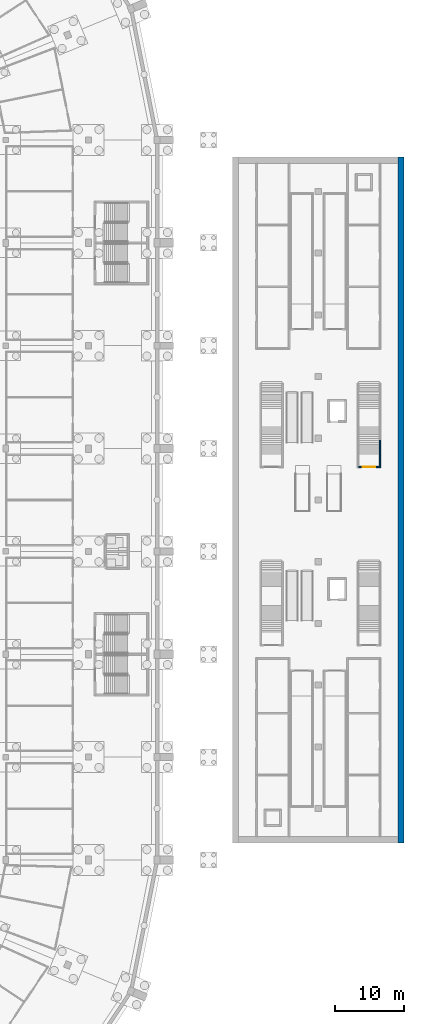
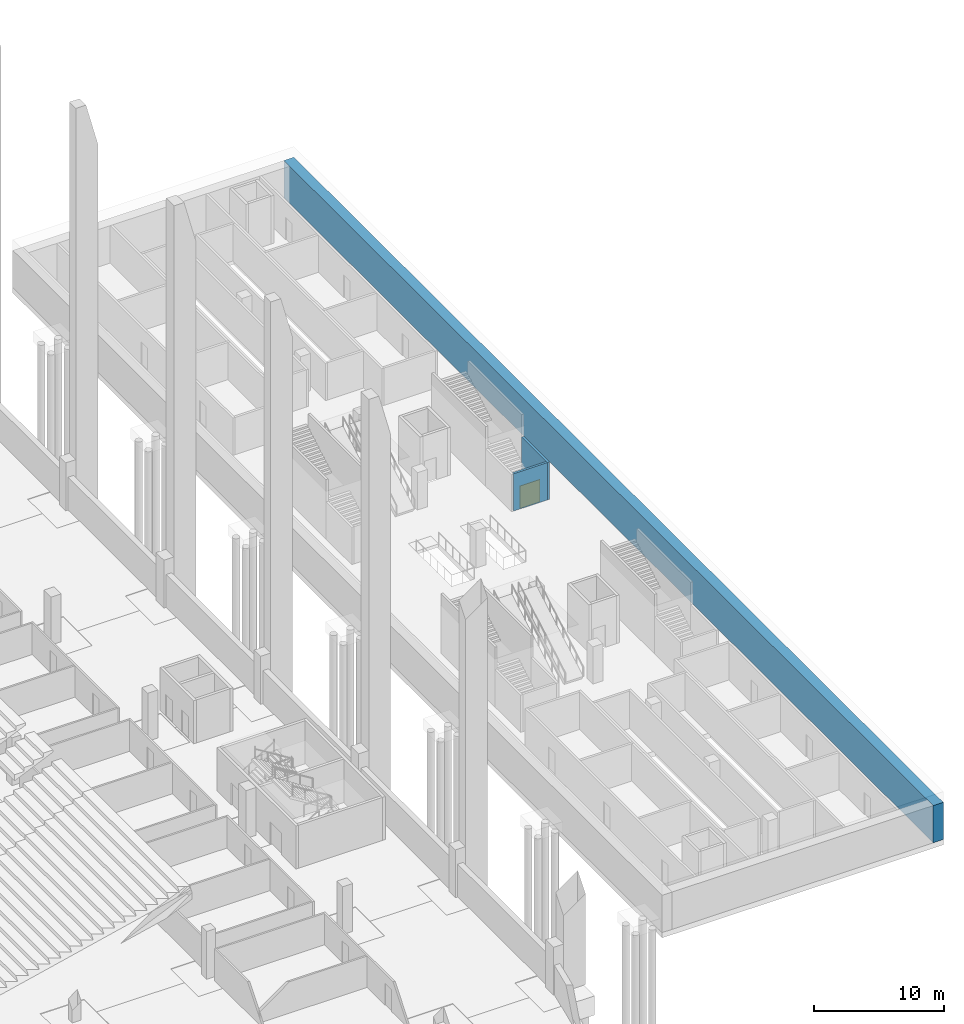
# One storey, part 32 of 115: 3 walls, 1 door, 1 opening.
"""IFC4 building model written with IfcOpenShell, lengths in metres."""

from ifc_helpers import new_model, si_unit, direction, frame, frame_2d, origin, place, context, subcontext, project, spatial, rectangle, extrude, material, layer, layer_set, type_object, element, fill, save


model = new_model("IFC4")

# Units and contexts
model_context = context("Model", 3, precision=1e-05, world=origin(), true_north=direction((0.0, 1.0)))
body_context = subcontext(model_context, "Body", "Model", "MODEL_VIEW")
ifc_project = project(units=[si_unit("LENGTHUNIT", "METRE"), si_unit("AREAUNIT", "SQUARE_METRE"), si_unit("VOLUMEUNIT", "CUBIC_METRE"), si_unit("PLANEANGLEUNIT", "RADIAN"), si_unit("MASSUNIT", "GRAM", prefix="KILO")], contexts=[model_context])

# Site, building, storey
site_placement = place(None, origin())
site = spatial("IfcSite", under=ifc_project, at=site_placement, CompositionType="ELEMENT")
building_placement = place(site_placement, origin())
building = spatial("IfcBuilding", under=site, at=building_placement, Name="Ogive Plaza Stadium", CompositionType="ELEMENT")
storey_placement = place(building_placement, frame((0.0, 0.0, -4.5)))
storey = spatial("IfcBuildingStorey", under=building, at=storey_placement, Name="B1", CompositionType="ELEMENT", Elevation=-4.5)

# Walls
ifc_material_1 = material(Name="Concrete C35/45", Category="concrete")
ifc_layer_1 = layer(ifc_material_1, 0.89990234375)
ifc_layer_set_1 = layer_set([ifc_layer_1], Name="Concrete C35/45")
wall_type_1 = type_object("IfcWallType", Name="Diaphragm wall 900", PredefinedType="STANDARD", material=ifc_layer_set_1)
wall_1_placement = place(storey_placement, frame((119.550048828125, -50.0, 0.0), z_axis=(0.0, 0.0, 1.0), x_axis=(0.0, 1.0, 0.0)))
element("IfcWall", 1, at=wall_1_placement, inside=storey, type_object=wall_type_1, Name="Diaphragm wall 900 B1 east", PredefinedType="STANDARD", context=body_context, shape_type="SweptSolid", body=[
    extrude(rectangle(XDim=100.0, YDim=0.89990234375, at=frame_2d((50.0, 0.0))), origin(), (0.0, 0.0, 1.0), 3.5),
])
ifc_material_2 = material(Name="Concrete C40/50", Category="concrete")
ifc_layer_2 = layer(ifc_material_2, 0.199951171875)
ifc_layer_set_2 = layer_set([ifc_layer_2], Name="Concrete C40/50")
wall_type_2 = type_object("IfcWallType", Name="Stair enclosure wall 200", PredefinedType="SHEAR", material=ifc_layer_set_2)
wall_2_placement = place(storey_placement, frame((116.5, 4.719970703125, 0.0), z_axis=(0.0, 0.0, 1.0), x_axis=(0.0, 1.0, 0.0)))
element("IfcWall", 2, at=wall_2_placement, inside=storey, type_object=wall_type_2, Name="Stair enclosure wall 200 B1 east", PredefinedType="SHEAR", context=body_context, shape_type="SweptSolid", body=[
    extrude(rectangle(XDim=3.96630859375, YDim=0.199951171875, at=frame_2d((1.983154296875, 0.0))), origin(), (0.0, 0.0, 1.0), 3.5),
])

# Wall, opening, door
wall_3_placement = place(storey_placement, frame((113.39990234375, 4.820068359375, 0.0), z_axis=(0.0, 0.0, 1.0), x_axis=(1.0, 0.0, 0.0)))
wall_3 = element("IfcWall", 3, at=wall_3_placement, inside=storey, type_object=wall_type_2, Name="Stair enclosure wall 200 B1 south", PredefinedType="SHEAR", context=body_context, shape_type="SweptSolid", body=[
    extrude(rectangle(XDim=3.0, YDim=0.199951171875, at=frame_2d((1.5, 0.0))), origin(), (0.0, 0.0, 1.0), 3.5),
])
opening_placement = place(wall_3_placement, frame((0.60009765625, 0.0, 0.0)))
opening = element("IfcOpeningElement", 4, at=opening_placement, cuts=wall_3, Name="Opening SD020", PredefinedType="OPENING", context=body_context, shape_type="SweptSolid", body=[
    extrude(rectangle(XDim=1.800048828125, YDim=2.10009765625, at=frame_2d((0.89990234375, 1.050048828125))), frame((0.0, 0.10009765625, 0.0), z_axis=(0.0, -1.0, 0.0), x_axis=(1.0, 0.0, 0.0)), (0.0, 0.0, 1.0), 0.199951171875),
])
ifc_material_3 = material(Name="Steel fire door set", Category="steel")
door_type = type_object("IfcDoorType", Name="Fire door double FD60 1800 x 2100", OperationType="DOUBLE_DOOR_SINGLE_SWING", PredefinedType="DOOR", material=ifc_material_3)
door_placement = place(opening_placement, origin())
door = element("IfcDoor", 5, at=door_placement, inside=storey, type_object=door_type, Name="Door SD020", OperationType="DOUBLE_DOOR_SINGLE_SWING", OverallHeight=2.10009765625, OverallWidth=1.800048828125, PredefinedType="DOOR", context=body_context, shape_type="SweptSolid", body=[
    extrude(rectangle(XDim=1.800048828125, YDim=2.10009765625, at=frame_2d((0.89990234375, 1.050048828125))), frame((0.0, 0.02490234375, 0.0), z_axis=(0.0, -1.0, 0.0), x_axis=(1.0, 0.0, 0.0)), (0.0, 0.0, 1.0), 0.050048828125),
])
fill(opening, door)

save(model, "model.ifc")
